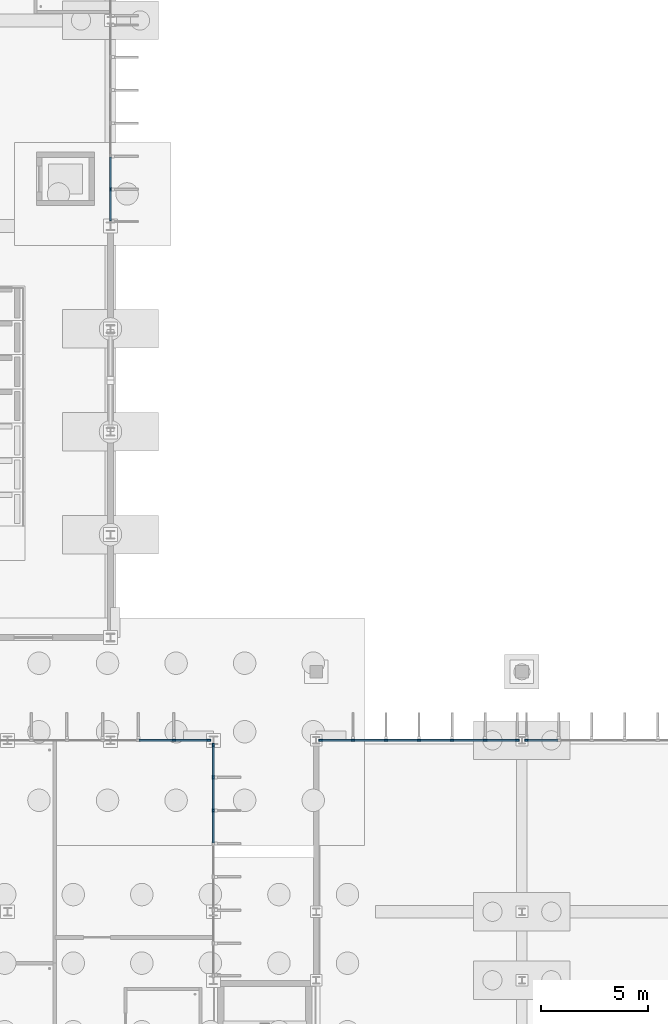
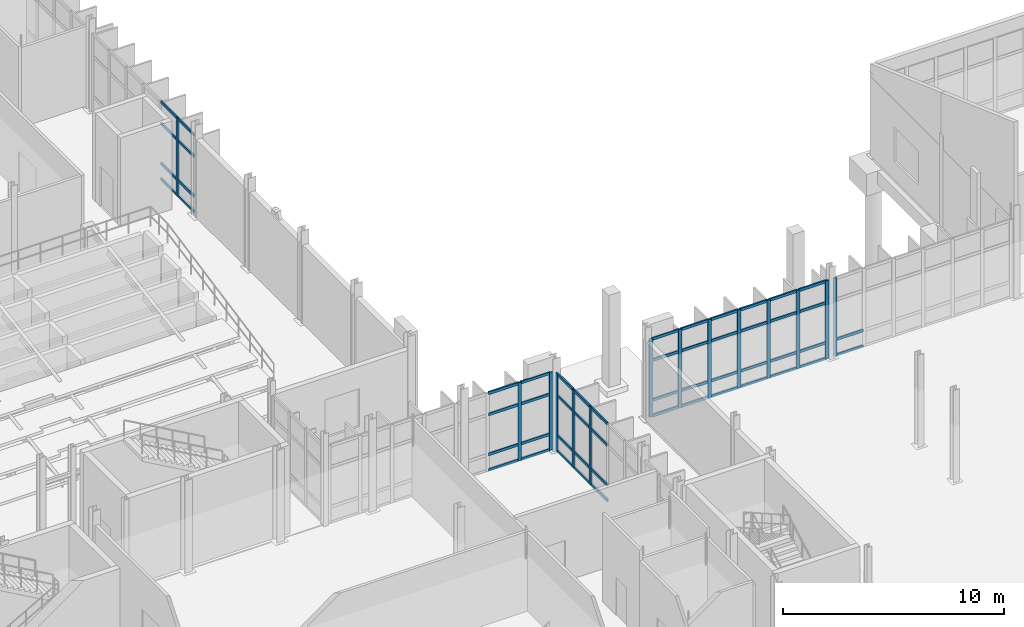
# One storey, part 25 of 111: 68 members, 5 elements without a shape of their own.
"""IFC4 building model written with IfcOpenShell, lengths in metres."""

from ifc_helpers import new_model, si_unit, direction, frame, origin, origin_2d, place, context, subcontext, project, spatial, rectangle, extrude, material, material_profile, profile_set, type_object, element, aggregate, save


model = new_model("IFC4")

# Units and contexts
model_context = context("Model", 3, precision=1e-05, world=origin(), true_north=direction((0.0, 1.0)))
body_context = subcontext(model_context, "Body", "Model", "MODEL_VIEW")
ifc_project = project(units=[si_unit("LENGTHUNIT", "METRE"), si_unit("AREAUNIT", "SQUARE_METRE"), si_unit("VOLUMEUNIT", "CUBIC_METRE"), si_unit("PLANEANGLEUNIT", "RADIAN"), si_unit("MASSUNIT", "GRAM", prefix="KILO")], contexts=[model_context])

# Site, building, storey
site_placement = place(None, origin())
site = spatial("IfcSite", under=ifc_project, at=site_placement, CompositionType="ELEMENT")
building_placement = place(site_placement, origin())
building = spatial("IfcBuilding", under=site, at=building_placement, Name="Dunescarp Central Library", CompositionType="ELEMENT")
storey_placement = place(building_placement, origin())
storey = spatial("IfcBuildingStorey", under=building, at=storey_placement, Name="L00", CompositionType="ELEMENT", Elevation=0.0)

# Curtain wall, members
ifc_material = material(Name="Marine-grade anodised aluminium 6063-T6", Category="aluminium")
curtain_wall_type = type_object("IfcCurtainWallType", Name="ARC-CW-STICK", PredefinedType="NOTDEFINED", material=ifc_material)
curtain_wall_1_placement = place(storey_placement, origin())
curtain_wall_1 = element("IfcCurtainWall", 1, at=curtain_wall_1_placement, inside=storey, type_object=curtain_wall_type, Name="L00 curtain wall CW-V1-002", PredefinedType="NOTDEFINED")
ifc_material_profile_1 = material_profile(ifc_material, rectangle(XDim=0.080078125, YDim=0.179931640625, at=origin_2d()), Name="AL 80x180")
ifc_profile_set_1 = profile_set([ifc_material_profile_1], Name="Marine-grade anodised aluminium 6063-T6")
member_type_1 = type_object("IfcMemberType", Name="ARC-CWM-180", PredefinedType="MULLION", material=ifc_profile_set_1)
member_1_placement = place(storey_placement, frame((31.7607421875, 36.800048828125, 0.0), z_axis=(0.0, 0.0, 1.0), x_axis=(0.0, 1.0, 0.0)))
member_1 = element("IfcMember", 2, at=member_1_placement, type_object=member_type_1, Name="CW-V1-002 mullion 7", PredefinedType="MULLION", context=body_context, shape_type="SweptSolid", body=[
    extrude(rectangle(XDim=0.080078125, YDim=0.179931640625, at=origin_2d()), origin(), (0.0, 0.0, 1.0), 4.304931640625),
])
member_2_placement = place(storey_placement, frame((33.385009765625, 36.800048828125, 0.0), z_axis=(0.0, 0.0, 1.0), x_axis=(0.0, 1.0, 0.0)))
member_2 = element("IfcMember", 3, at=member_2_placement, type_object=member_type_1, Name="CW-V1-002 mullion 8", PredefinedType="MULLION", context=body_context, shape_type="SweptSolid", body=[
    extrude(rectangle(XDim=0.080078125, YDim=0.179931640625, at=origin_2d()), origin(), (0.0, 0.0, 1.0), 4.304931640625),
])

curtain_wall_2_placement = place(storey_placement, origin())
curtain_wall_2 = element("IfcCurtainWall", 4, at=curtain_wall_2_placement, inside=storey, type_object=curtain_wall_type, Name="L00 curtain wall CW-V1-005", PredefinedType="NOTDEFINED")
member_3_placement = place(storey_placement, frame((33.60009765625, 36.5849609375, 0.0), z_axis=(0.0, 0.0, 1.0), x_axis=(1.0, 0.0, 0.0)))
member_3 = element("IfcMember", 5, at=member_3_placement, type_object=member_type_1, Name="CW-V1-005 mullion 1", PredefinedType="MULLION", context=body_context, shape_type="SweptSolid", body=[
    extrude(rectangle(XDim=0.080078125, YDim=0.179931640625, at=origin_2d()), origin(), (0.0, 0.0, 1.0), 4.304931640625),
])
member_4_placement = place(storey_placement, frame((33.60009765625, 35.074951171875, 0.0), z_axis=(0.0, 0.0, 1.0), x_axis=(1.0, 0.0, 0.0)))
member_4 = element("IfcMember", 6, at=member_4_placement, type_object=member_type_1, Name="CW-V1-005 mullion 2", PredefinedType="MULLION", context=body_context, shape_type="SweptSolid", body=[
    extrude(rectangle(XDim=0.080078125, YDim=0.179931640625, at=origin_2d()), origin(), (0.0, 0.0, 1.0), 4.304931640625),
])
member_5_placement = place(storey_placement, frame((33.60009765625, 33.52490234375, 0.0), z_axis=(0.0, 0.0, 1.0), x_axis=(1.0, 0.0, 0.0)))
member_5 = element("IfcMember", 7, at=member_5_placement, type_object=member_type_1, Name="CW-V1-005 mullion 3", PredefinedType="MULLION", context=body_context, shape_type="SweptSolid", body=[
    extrude(rectangle(XDim=0.080078125, YDim=0.179931640625, at=origin_2d()), origin(), (0.0, 0.0, 1.0), 4.304931640625),
])

curtain_wall_3_placement = place(storey_placement, origin())
curtain_wall_3 = element("IfcCurtainWall", 8, at=curtain_wall_3_placement, inside=storey, type_object=curtain_wall_type, Name="L00 curtain wall CW-V2-046", PredefinedType="NOTDEFINED")
member_6_placement = place(storey_placement, frame((38.614990234375, 36.800048828125, 0.0), z_axis=(0.0, 0.0, 1.0), x_axis=(0.0, 1.0, 0.0)))
member_6 = element("IfcMember", 9, at=member_6_placement, type_object=member_type_1, Name="CW-V2-046 mullion 1", PredefinedType="MULLION", context=body_context, shape_type="SweptSolid", body=[
    extrude(rectangle(XDim=0.080078125, YDim=0.179931640625, at=origin_2d()), origin(), (0.0, 0.0, 1.0), 4.31494140625),
])
member_7_placement = place(storey_placement, frame((40.11669921875, 36.800048828125, 0.0), z_axis=(0.0, 0.0, 1.0), x_axis=(0.0, 1.0, 0.0)))
member_7 = element("IfcMember", 10, at=member_7_placement, type_object=member_type_1, Name="CW-V2-046 mullion 2", PredefinedType="MULLION", context=body_context, shape_type="SweptSolid", body=[
    extrude(rectangle(XDim=0.080078125, YDim=0.179931640625, at=origin_2d()), origin(), (0.0, 0.0, 1.0), 4.31494140625),
])
member_8_placement = place(storey_placement, frame((41.658447265625, 36.800048828125, 0.0), z_axis=(0.0, 0.0, 1.0), x_axis=(0.0, 1.0, 0.0)))
member_8 = element("IfcMember", 11, at=member_8_placement, type_object=member_type_1, Name="CW-V2-046 mullion 3", PredefinedType="MULLION", context=body_context, shape_type="SweptSolid", body=[
    extrude(rectangle(XDim=0.080078125, YDim=0.179931640625, at=origin_2d()), origin(), (0.0, 0.0, 1.0), 4.31494140625),
])
member_9_placement = place(storey_placement, frame((43.199951171875, 36.800048828125, 0.0), z_axis=(0.0, 0.0, 1.0), x_axis=(0.0, 1.0, 0.0)))
member_9 = element("IfcMember", 12, at=member_9_placement, type_object=member_type_1, Name="CW-V2-046 mullion 4", PredefinedType="MULLION", context=body_context, shape_type="SweptSolid", body=[
    extrude(rectangle(XDim=0.080078125, YDim=0.179931640625, at=origin_2d()), origin(), (0.0, 0.0, 1.0), 4.31494140625),
])
member_10_placement = place(storey_placement, frame((44.74169921875, 36.800048828125, 0.0), z_axis=(0.0, 0.0, 1.0), x_axis=(0.0, 1.0, 0.0)))
member_10 = element("IfcMember", 13, at=member_10_placement, type_object=member_type_1, Name="CW-V2-046 mullion 5", PredefinedType="MULLION", context=body_context, shape_type="SweptSolid", body=[
    extrude(rectangle(XDim=0.080078125, YDim=0.179931640625, at=origin_2d()), origin(), (0.0, 0.0, 1.0), 4.31494140625),
])
member_11_placement = place(storey_placement, frame((46.283447265625, 36.800048828125, 0.0), z_axis=(0.0, 0.0, 1.0), x_axis=(0.0, 1.0, 0.0)))
member_11 = element("IfcMember", 14, at=member_11_placement, type_object=member_type_1, Name="CW-V2-046 mullion 6", PredefinedType="MULLION", context=body_context, shape_type="SweptSolid", body=[
    extrude(rectangle(XDim=0.080078125, YDim=0.179931640625, at=origin_2d()), origin(), (0.0, 0.0, 1.0), 4.31494140625),
])
member_12_placement = place(storey_placement, frame((47.784912109375, 36.800048828125, 0.0), z_axis=(0.0, 0.0, 1.0), x_axis=(0.0, 1.0, 0.0)))
member_12 = element("IfcMember", 15, at=member_12_placement, type_object=member_type_1, Name="CW-V2-046 mullion 7", PredefinedType="MULLION", context=body_context, shape_type="SweptSolid", body=[
    extrude(rectangle(XDim=0.080078125, YDim=0.179931640625, at=origin_2d()), origin(), (0.0, 0.0, 1.0), 4.31494140625),
])

# Curtain wall, member
curtain_wall_4_placement = place(storey_placement, origin())
curtain_wall_4 = element("IfcCurtainWall", 16, at=curtain_wall_4_placement, inside=storey, type_object=curtain_wall_type, Name="L00 curtain wall CW-V2-047", PredefinedType="NOTDEFINED")
member_13_placement = place(storey_placement, frame((48.215087890625, 36.800048828125, 0.0), z_axis=(0.0, 0.0, 1.0), x_axis=(0.0, 1.0, 0.0)))
member_13 = element("IfcMember", 17, at=member_13_placement, type_object=member_type_1, Name="CW-V2-047 mullion 1", PredefinedType="MULLION", context=body_context, shape_type="SweptSolid", body=[
    extrude(rectangle(XDim=0.080078125, YDim=0.179931640625, at=origin_2d()), origin(), (0.0, 0.0, 1.0), 4.31494140625),
])

curtain_wall_5_placement = place(storey_placement, origin())
curtain_wall_5 = element("IfcCurtainWall", 18, at=curtain_wall_5_placement, inside=storey, type_object=curtain_wall_type, Name="L00 curtain wall CW-V4-113", PredefinedType="NOTDEFINED")
member_14_placement = place(storey_placement, frame((28.800048828125, 62.5166015625, 0.0), z_axis=(0.0, 0.0, 1.0), x_axis=(1.0, 0.0, 0.0)))
member_14 = element("IfcMember", 19, at=member_14_placement, type_object=member_type_1, Name="CW-V4-113 mullion 6", PredefinedType="MULLION", context=body_context, shape_type="SweptSolid", body=[
    extrude(rectangle(XDim=0.080078125, YDim=0.179931640625, at=origin_2d()), origin(), (0.0, 0.0, 1.0), 4.322021484375),
])

# Member
ifc_material_profile_2 = material_profile(ifc_material, rectangle(XDim=0.080078125, YDim=0.14990234375, at=origin_2d()), Name="AL 80x150")
ifc_profile_set_2 = profile_set([ifc_material_profile_2], Name="Marine-grade anodised aluminium 6063-T6")
member_type_2 = type_object("IfcMemberType", Name="ARC-CWT-150", PredefinedType="USERDEFINED", material=ifc_profile_set_2)
member_15_placement = place(storey_placement, frame((30.136474609375, 36.800048828125, 0.0400390625), z_axis=(1.0, 0.0, 0.0), x_axis=(0.0, 1.0, 0.0)))
member_15 = element("IfcMember", 20, at=member_15_placement, type_object=member_type_2, Name="CW-V1-002 transom 6.1", ObjectType="TRANSOM", PredefinedType="USERDEFINED", context=body_context, shape_type="SweptSolid", body=[
    extrude(rectangle(XDim=0.080078125, YDim=0.14990234375, at=origin_2d()), origin(), (0.0, 0.0, 1.0), 1.584228515625),
])

member_16_placement = place(storey_placement, frame((30.136474609375, 36.800048828125, 0.89990234375), z_axis=(1.0, 0.0, 0.0), x_axis=(0.0, 1.0, 0.0)))
member_16 = element("IfcMember", 21, at=member_16_placement, type_object=member_type_2, Name="CW-V1-002 transom 6.2", ObjectType="TRANSOM", PredefinedType="USERDEFINED", context=body_context, shape_type="SweptSolid", body=[
    extrude(rectangle(XDim=0.080078125, YDim=0.14990234375, at=origin_2d()), origin(), (0.0, 0.0, 1.0), 1.584228515625),
])

member_17_placement = place(storey_placement, frame((30.136474609375, 36.800048828125, 3.10009765625), z_axis=(1.0, 0.0, 0.0), x_axis=(0.0, 1.0, 0.0)))
member_17 = element("IfcMember", 22, at=member_17_placement, type_object=member_type_2, Name="CW-V1-002 transom 6.3", ObjectType="TRANSOM", PredefinedType="USERDEFINED", context=body_context, shape_type="SweptSolid", body=[
    extrude(rectangle(XDim=0.080078125, YDim=0.14990234375, at=origin_2d()), origin(), (0.0, 0.0, 1.0), 1.584228515625),
])

member_18_placement = place(storey_placement, frame((30.136474609375, 36.800048828125, 4.264892578125), z_axis=(1.0, 0.0, 0.0), x_axis=(0.0, 1.0, 0.0)))
member_18 = element("IfcMember", 23, at=member_18_placement, type_object=member_type_2, Name="CW-V1-002 transom 6.4", ObjectType="TRANSOM", PredefinedType="USERDEFINED", context=body_context, shape_type="SweptSolid", body=[
    extrude(rectangle(XDim=0.080078125, YDim=0.14990234375, at=origin_2d()), origin(), (0.0, 0.0, 1.0), 1.584228515625),
])

member_19_placement = place(storey_placement, frame((31.80078125, 36.800048828125, 0.0400390625), z_axis=(1.0, 0.0, 0.0), x_axis=(0.0, 1.0, 0.0)))
member_19 = element("IfcMember", 24, at=member_19_placement, type_object=member_type_2, Name="CW-V1-002 transom 7.1", ObjectType="TRANSOM", PredefinedType="USERDEFINED", context=body_context, shape_type="SweptSolid", body=[
    extrude(rectangle(XDim=0.080078125, YDim=0.14990234375, at=origin_2d()), origin(), (0.0, 0.0, 1.0), 1.544189453125),
])

member_20_placement = place(storey_placement, frame((31.80078125, 36.800048828125, 0.89990234375), z_axis=(1.0, 0.0, 0.0), x_axis=(0.0, 1.0, 0.0)))
member_20 = element("IfcMember", 25, at=member_20_placement, type_object=member_type_2, Name="CW-V1-002 transom 7.2", ObjectType="TRANSOM", PredefinedType="USERDEFINED", context=body_context, shape_type="SweptSolid", body=[
    extrude(rectangle(XDim=0.080078125, YDim=0.14990234375, at=origin_2d()), origin(), (0.0, 0.0, 1.0), 1.544189453125),
])

member_21_placement = place(storey_placement, frame((31.80078125, 36.800048828125, 3.10009765625), z_axis=(1.0, 0.0, 0.0), x_axis=(0.0, 1.0, 0.0)))
member_21 = element("IfcMember", 26, at=member_21_placement, type_object=member_type_2, Name="CW-V1-002 transom 7.3", ObjectType="TRANSOM", PredefinedType="USERDEFINED", context=body_context, shape_type="SweptSolid", body=[
    extrude(rectangle(XDim=0.080078125, YDim=0.14990234375, at=origin_2d()), origin(), (0.0, 0.0, 1.0), 1.544189453125),
])

member_22_placement = place(storey_placement, frame((31.80078125, 36.800048828125, 4.264892578125), z_axis=(1.0, 0.0, 0.0), x_axis=(0.0, 1.0, 0.0)))
member_22 = element("IfcMember", 27, at=member_22_placement, type_object=member_type_2, Name="CW-V1-002 transom 7.4", ObjectType="TRANSOM", PredefinedType="USERDEFINED", context=body_context, shape_type="SweptSolid", body=[
    extrude(rectangle(XDim=0.080078125, YDim=0.14990234375, at=origin_2d()), origin(), (0.0, 0.0, 1.0), 1.544189453125),
])

aggregate(curtain_wall_1, [member_1, member_2, member_15, member_16, member_17, member_18, member_19, member_20, member_21, member_22])

member_23_placement = place(storey_placement, frame((33.60009765625, 36.544921875, 0.0400390625), z_axis=(0.0, -1.0, 0.0), x_axis=(1.0, 0.0, 0.0)))
member_23 = element("IfcMember", 28, at=member_23_placement, type_object=member_type_2, Name="CW-V1-005 transom 1.1", ObjectType="TRANSOM", PredefinedType="USERDEFINED", context=body_context, shape_type="SweptSolid", body=[
    extrude(rectangle(XDim=0.080078125, YDim=0.14990234375, at=origin_2d()), origin(), (0.0, 0.0, 1.0), 1.429931640625),
])

member_24_placement = place(storey_placement, frame((33.60009765625, 36.544921875, 0.89990234375), z_axis=(0.0, -1.0, 0.0), x_axis=(1.0, 0.0, 0.0)))
member_24 = element("IfcMember", 29, at=member_24_placement, type_object=member_type_2, Name="CW-V1-005 transom 1.2", ObjectType="TRANSOM", PredefinedType="USERDEFINED", context=body_context, shape_type="SweptSolid", body=[
    extrude(rectangle(XDim=0.080078125, YDim=0.14990234375, at=origin_2d()), origin(), (0.0, 0.0, 1.0), 1.429931640625),
])

member_25_placement = place(storey_placement, frame((33.60009765625, 36.544921875, 3.10009765625), z_axis=(0.0, -1.0, 0.0), x_axis=(1.0, 0.0, 0.0)))
member_25 = element("IfcMember", 30, at=member_25_placement, type_object=member_type_2, Name="CW-V1-005 transom 1.3", ObjectType="TRANSOM", PredefinedType="USERDEFINED", context=body_context, shape_type="SweptSolid", body=[
    extrude(rectangle(XDim=0.080078125, YDim=0.14990234375, at=origin_2d()), origin(), (0.0, 0.0, 1.0), 1.429931640625),
])

member_26_placement = place(storey_placement, frame((33.60009765625, 36.544921875, 4.264892578125), z_axis=(0.0, -1.0, 0.0), x_axis=(1.0, 0.0, 0.0)))
member_26 = element("IfcMember", 31, at=member_26_placement, type_object=member_type_2, Name="CW-V1-005 transom 1.4", ObjectType="TRANSOM", PredefinedType="USERDEFINED", context=body_context, shape_type="SweptSolid", body=[
    extrude(rectangle(XDim=0.080078125, YDim=0.14990234375, at=origin_2d()), origin(), (0.0, 0.0, 1.0), 1.429931640625),
])

member_27_placement = place(storey_placement, frame((33.60009765625, 35.034912109375, 0.0400390625), z_axis=(0.0, -1.0, 0.0), x_axis=(1.0, 0.0, 0.0)))
member_27 = element("IfcMember", 32, at=member_27_placement, type_object=member_type_2, Name="CW-V1-005 transom 2.1", ObjectType="TRANSOM", PredefinedType="USERDEFINED", context=body_context, shape_type="SweptSolid", body=[
    extrude(rectangle(XDim=0.080078125, YDim=0.14990234375, at=origin_2d()), origin(), (0.0, 0.0, 1.0), 1.469970703125),
])

member_28_placement = place(storey_placement, frame((33.60009765625, 35.034912109375, 0.89990234375), z_axis=(0.0, -1.0, 0.0), x_axis=(1.0, 0.0, 0.0)))
member_28 = element("IfcMember", 33, at=member_28_placement, type_object=member_type_2, Name="CW-V1-005 transom 2.2", ObjectType="TRANSOM", PredefinedType="USERDEFINED", context=body_context, shape_type="SweptSolid", body=[
    extrude(rectangle(XDim=0.080078125, YDim=0.14990234375, at=origin_2d()), origin(), (0.0, 0.0, 1.0), 1.469970703125),
])

member_29_placement = place(storey_placement, frame((33.60009765625, 35.034912109375, 3.10009765625), z_axis=(0.0, -1.0, 0.0), x_axis=(1.0, 0.0, 0.0)))
member_29 = element("IfcMember", 34, at=member_29_placement, type_object=member_type_2, Name="CW-V1-005 transom 2.3", ObjectType="TRANSOM", PredefinedType="USERDEFINED", context=body_context, shape_type="SweptSolid", body=[
    extrude(rectangle(XDim=0.080078125, YDim=0.14990234375, at=origin_2d()), origin(), (0.0, 0.0, 1.0), 1.469970703125),
])

member_30_placement = place(storey_placement, frame((33.60009765625, 35.034912109375, 4.264892578125), z_axis=(0.0, -1.0, 0.0), x_axis=(1.0, 0.0, 0.0)))
member_30 = element("IfcMember", 35, at=member_30_placement, type_object=member_type_2, Name="CW-V1-005 transom 2.4", ObjectType="TRANSOM", PredefinedType="USERDEFINED", context=body_context, shape_type="SweptSolid", body=[
    extrude(rectangle(XDim=0.080078125, YDim=0.14990234375, at=origin_2d()), origin(), (0.0, 0.0, 1.0), 1.469970703125),
])

member_31_placement = place(storey_placement, frame((33.60009765625, 33.485107421875, 0.0400390625), z_axis=(0.0, -1.0, 0.0), x_axis=(1.0, 0.0, 0.0)))
member_31 = element("IfcMember", 36, at=member_31_placement, type_object=member_type_2, Name="CW-V1-005 transom 3.1", ObjectType="TRANSOM", PredefinedType="USERDEFINED", context=body_context, shape_type="SweptSolid", body=[
    extrude(rectangle(XDim=0.080078125, YDim=0.14990234375, at=origin_2d()), origin(), (0.0, 0.0, 1.0), 1.47021484375),
])

member_32_placement = place(storey_placement, frame((33.60009765625, 33.485107421875, 0.89990234375), z_axis=(0.0, -1.0, 0.0), x_axis=(1.0, 0.0, 0.0)))
member_32 = element("IfcMember", 37, at=member_32_placement, type_object=member_type_2, Name="CW-V1-005 transom 3.2", ObjectType="TRANSOM", PredefinedType="USERDEFINED", context=body_context, shape_type="SweptSolid", body=[
    extrude(rectangle(XDim=0.080078125, YDim=0.14990234375, at=origin_2d()), origin(), (0.0, 0.0, 1.0), 1.47021484375),
])

member_33_placement = place(storey_placement, frame((33.60009765625, 33.485107421875, 3.10009765625), z_axis=(0.0, -1.0, 0.0), x_axis=(1.0, 0.0, 0.0)))
member_33 = element("IfcMember", 38, at=member_33_placement, type_object=member_type_2, Name="CW-V1-005 transom 3.3", ObjectType="TRANSOM", PredefinedType="USERDEFINED", context=body_context, shape_type="SweptSolid", body=[
    extrude(rectangle(XDim=0.080078125, YDim=0.14990234375, at=origin_2d()), origin(), (0.0, 0.0, 1.0), 1.47021484375),
])

member_34_placement = place(storey_placement, frame((33.60009765625, 33.485107421875, 4.264892578125), z_axis=(0.0, -1.0, 0.0), x_axis=(1.0, 0.0, 0.0)))
member_34 = element("IfcMember", 39, at=member_34_placement, type_object=member_type_2, Name="CW-V1-005 transom 3.4", ObjectType="TRANSOM", PredefinedType="USERDEFINED", context=body_context, shape_type="SweptSolid", body=[
    extrude(rectangle(XDim=0.080078125, YDim=0.14990234375, at=origin_2d()), origin(), (0.0, 0.0, 1.0), 1.47021484375),
])

aggregate(curtain_wall_2, [member_3, member_4, member_5, member_23, member_24, member_25, member_26, member_27, member_28, member_29, member_30, member_31, member_32, member_33, member_34])

member_35_placement = place(storey_placement, frame((38.655029296875, 36.800048828125, 0.0400390625), z_axis=(1.0, 0.0, 0.0), x_axis=(0.0, 1.0, 0.0)))
member_35 = element("IfcMember", 40, at=member_35_placement, type_object=member_type_2, Name="CW-V2-046 transom 1.1", ObjectType="TRANSOM", PredefinedType="USERDEFINED", context=body_context, shape_type="SweptSolid", body=[
    extrude(rectangle(XDim=0.080078125, YDim=0.14990234375, at=origin_2d()), origin(), (0.0, 0.0, 1.0), 1.421630859375),
])

member_36_placement = place(storey_placement, frame((38.655029296875, 36.800048828125, 0.89990234375), z_axis=(1.0, 0.0, 0.0), x_axis=(0.0, 1.0, 0.0)))
member_36 = element("IfcMember", 41, at=member_36_placement, type_object=member_type_2, Name="CW-V2-046 transom 1.2", ObjectType="TRANSOM", PredefinedType="USERDEFINED", context=body_context, shape_type="SweptSolid", body=[
    extrude(rectangle(XDim=0.080078125, YDim=0.14990234375, at=origin_2d()), origin(), (0.0, 0.0, 1.0), 1.421630859375),
])

member_37_placement = place(storey_placement, frame((38.655029296875, 36.800048828125, 3.10009765625), z_axis=(1.0, 0.0, 0.0), x_axis=(0.0, 1.0, 0.0)))
member_37 = element("IfcMember", 42, at=member_37_placement, type_object=member_type_2, Name="CW-V2-046 transom 1.3", ObjectType="TRANSOM", PredefinedType="USERDEFINED", context=body_context, shape_type="SweptSolid", body=[
    extrude(rectangle(XDim=0.080078125, YDim=0.14990234375, at=origin_2d()), origin(), (0.0, 0.0, 1.0), 1.421630859375),
])

member_38_placement = place(storey_placement, frame((38.655029296875, 36.800048828125, 4.27490234375), z_axis=(1.0, 0.0, 0.0), x_axis=(0.0, 1.0, 0.0)))
member_38 = element("IfcMember", 43, at=member_38_placement, type_object=member_type_2, Name="CW-V2-046 transom 1.4", ObjectType="TRANSOM", PredefinedType="USERDEFINED", context=body_context, shape_type="SweptSolid", body=[
    extrude(rectangle(XDim=0.080078125, YDim=0.14990234375, at=origin_2d()), origin(), (0.0, 0.0, 1.0), 1.421630859375),
])

member_39_placement = place(storey_placement, frame((40.15673828125, 36.800048828125, 0.0400390625), z_axis=(1.0, 0.0, 0.0), x_axis=(0.0, 1.0, 0.0)))
member_39 = element("IfcMember", 44, at=member_39_placement, type_object=member_type_2, Name="CW-V2-046 transom 2.1", ObjectType="TRANSOM", PredefinedType="USERDEFINED", context=body_context, shape_type="SweptSolid", body=[
    extrude(rectangle(XDim=0.080078125, YDim=0.14990234375, at=origin_2d()), origin(), (0.0, 0.0, 1.0), 1.461669921875),
])

member_40_placement = place(storey_placement, frame((40.15673828125, 36.800048828125, 0.89990234375), z_axis=(1.0, 0.0, 0.0), x_axis=(0.0, 1.0, 0.0)))
member_40 = element("IfcMember", 45, at=member_40_placement, type_object=member_type_2, Name="CW-V2-046 transom 2.2", ObjectType="TRANSOM", PredefinedType="USERDEFINED", context=body_context, shape_type="SweptSolid", body=[
    extrude(rectangle(XDim=0.080078125, YDim=0.14990234375, at=origin_2d()), origin(), (0.0, 0.0, 1.0), 1.461669921875),
])

member_41_placement = place(storey_placement, frame((40.15673828125, 36.800048828125, 3.10009765625), z_axis=(1.0, 0.0, 0.0), x_axis=(0.0, 1.0, 0.0)))
member_41 = element("IfcMember", 46, at=member_41_placement, type_object=member_type_2, Name="CW-V2-046 transom 2.3", ObjectType="TRANSOM", PredefinedType="USERDEFINED", context=body_context, shape_type="SweptSolid", body=[
    extrude(rectangle(XDim=0.080078125, YDim=0.14990234375, at=origin_2d()), origin(), (0.0, 0.0, 1.0), 1.461669921875),
])

member_42_placement = place(storey_placement, frame((40.15673828125, 36.800048828125, 4.27490234375), z_axis=(1.0, 0.0, 0.0), x_axis=(0.0, 1.0, 0.0)))
member_42 = element("IfcMember", 47, at=member_42_placement, type_object=member_type_2, Name="CW-V2-046 transom 2.4", ObjectType="TRANSOM", PredefinedType="USERDEFINED", context=body_context, shape_type="SweptSolid", body=[
    extrude(rectangle(XDim=0.080078125, YDim=0.14990234375, at=origin_2d()), origin(), (0.0, 0.0, 1.0), 1.461669921875),
])

member_43_placement = place(storey_placement, frame((41.6982421875, 36.800048828125, 0.0400390625), z_axis=(1.0, 0.0, 0.0), x_axis=(0.0, 1.0, 0.0)))
member_43 = element("IfcMember", 48, at=member_43_placement, type_object=member_type_2, Name="CW-V2-046 transom 3.1", ObjectType="TRANSOM", PredefinedType="USERDEFINED", context=body_context, shape_type="SweptSolid", body=[
    extrude(rectangle(XDim=0.080078125, YDim=0.14990234375, at=origin_2d()), origin(), (0.0, 0.0, 1.0), 1.461669921875),
])

member_44_placement = place(storey_placement, frame((41.6982421875, 36.800048828125, 0.89990234375), z_axis=(1.0, 0.0, 0.0), x_axis=(0.0, 1.0, 0.0)))
member_44 = element("IfcMember", 49, at=member_44_placement, type_object=member_type_2, Name="CW-V2-046 transom 3.2", ObjectType="TRANSOM", PredefinedType="USERDEFINED", context=body_context, shape_type="SweptSolid", body=[
    extrude(rectangle(XDim=0.080078125, YDim=0.14990234375, at=origin_2d()), origin(), (0.0, 0.0, 1.0), 1.461669921875),
])

member_45_placement = place(storey_placement, frame((41.6982421875, 36.800048828125, 3.10009765625), z_axis=(1.0, 0.0, 0.0), x_axis=(0.0, 1.0, 0.0)))
member_45 = element("IfcMember", 50, at=member_45_placement, type_object=member_type_2, Name="CW-V2-046 transom 3.3", ObjectType="TRANSOM", PredefinedType="USERDEFINED", context=body_context, shape_type="SweptSolid", body=[
    extrude(rectangle(XDim=0.080078125, YDim=0.14990234375, at=origin_2d()), origin(), (0.0, 0.0, 1.0), 1.461669921875),
])

member_46_placement = place(storey_placement, frame((41.6982421875, 36.800048828125, 4.27490234375), z_axis=(1.0, 0.0, 0.0), x_axis=(0.0, 1.0, 0.0)))
member_46 = element("IfcMember", 51, at=member_46_placement, type_object=member_type_2, Name="CW-V2-046 transom 3.4", ObjectType="TRANSOM", PredefinedType="USERDEFINED", context=body_context, shape_type="SweptSolid", body=[
    extrude(rectangle(XDim=0.080078125, YDim=0.14990234375, at=origin_2d()), origin(), (0.0, 0.0, 1.0), 1.461669921875),
])

member_47_placement = place(storey_placement, frame((43.239990234375, 36.800048828125, 0.0400390625), z_axis=(1.0, 0.0, 0.0), x_axis=(0.0, 1.0, 0.0)))
member_47 = element("IfcMember", 52, at=member_47_placement, type_object=member_type_2, Name="CW-V2-046 transom 4.1", ObjectType="TRANSOM", PredefinedType="USERDEFINED", context=body_context, shape_type="SweptSolid", body=[
    extrude(rectangle(XDim=0.080078125, YDim=0.14990234375, at=origin_2d()), origin(), (0.0, 0.0, 1.0), 1.461669921875),
])

member_48_placement = place(storey_placement, frame((43.239990234375, 36.800048828125, 0.89990234375), z_axis=(1.0, 0.0, 0.0), x_axis=(0.0, 1.0, 0.0)))
member_48 = element("IfcMember", 53, at=member_48_placement, type_object=member_type_2, Name="CW-V2-046 transom 4.2", ObjectType="TRANSOM", PredefinedType="USERDEFINED", context=body_context, shape_type="SweptSolid", body=[
    extrude(rectangle(XDim=0.080078125, YDim=0.14990234375, at=origin_2d()), origin(), (0.0, 0.0, 1.0), 1.461669921875),
])

member_49_placement = place(storey_placement, frame((43.239990234375, 36.800048828125, 3.10009765625), z_axis=(1.0, 0.0, 0.0), x_axis=(0.0, 1.0, 0.0)))
member_49 = element("IfcMember", 54, at=member_49_placement, type_object=member_type_2, Name="CW-V2-046 transom 4.3", ObjectType="TRANSOM", PredefinedType="USERDEFINED", context=body_context, shape_type="SweptSolid", body=[
    extrude(rectangle(XDim=0.080078125, YDim=0.14990234375, at=origin_2d()), origin(), (0.0, 0.0, 1.0), 1.461669921875),
])

member_50_placement = place(storey_placement, frame((43.239990234375, 36.800048828125, 4.27490234375), z_axis=(1.0, 0.0, 0.0), x_axis=(0.0, 1.0, 0.0)))
member_50 = element("IfcMember", 55, at=member_50_placement, type_object=member_type_2, Name="CW-V2-046 transom 4.4", ObjectType="TRANSOM", PredefinedType="USERDEFINED", context=body_context, shape_type="SweptSolid", body=[
    extrude(rectangle(XDim=0.080078125, YDim=0.14990234375, at=origin_2d()), origin(), (0.0, 0.0, 1.0), 1.461669921875),
])

member_51_placement = place(storey_placement, frame((44.78173828125, 36.800048828125, 0.0400390625), z_axis=(1.0, 0.0, 0.0), x_axis=(0.0, 1.0, 0.0)))
member_51 = element("IfcMember", 56, at=member_51_placement, type_object=member_type_2, Name="CW-V2-046 transom 5.1", ObjectType="TRANSOM", PredefinedType="USERDEFINED", context=body_context, shape_type="SweptSolid", body=[
    extrude(rectangle(XDim=0.080078125, YDim=0.14990234375, at=origin_2d()), origin(), (0.0, 0.0, 1.0), 1.461669921875),
])

member_52_placement = place(storey_placement, frame((44.78173828125, 36.800048828125, 0.89990234375), z_axis=(1.0, 0.0, 0.0), x_axis=(0.0, 1.0, 0.0)))
member_52 = element("IfcMember", 57, at=member_52_placement, type_object=member_type_2, Name="CW-V2-046 transom 5.2", ObjectType="TRANSOM", PredefinedType="USERDEFINED", context=body_context, shape_type="SweptSolid", body=[
    extrude(rectangle(XDim=0.080078125, YDim=0.14990234375, at=origin_2d()), origin(), (0.0, 0.0, 1.0), 1.461669921875),
])

member_53_placement = place(storey_placement, frame((44.78173828125, 36.800048828125, 3.10009765625), z_axis=(1.0, 0.0, 0.0), x_axis=(0.0, 1.0, 0.0)))
member_53 = element("IfcMember", 58, at=member_53_placement, type_object=member_type_2, Name="CW-V2-046 transom 5.3", ObjectType="TRANSOM", PredefinedType="USERDEFINED", context=body_context, shape_type="SweptSolid", body=[
    extrude(rectangle(XDim=0.080078125, YDim=0.14990234375, at=origin_2d()), origin(), (0.0, 0.0, 1.0), 1.461669921875),
])

member_54_placement = place(storey_placement, frame((44.78173828125, 36.800048828125, 4.27490234375), z_axis=(1.0, 0.0, 0.0), x_axis=(0.0, 1.0, 0.0)))
member_54 = element("IfcMember", 59, at=member_54_placement, type_object=member_type_2, Name="CW-V2-046 transom 5.4", ObjectType="TRANSOM", PredefinedType="USERDEFINED", context=body_context, shape_type="SweptSolid", body=[
    extrude(rectangle(XDim=0.080078125, YDim=0.14990234375, at=origin_2d()), origin(), (0.0, 0.0, 1.0), 1.461669921875),
])

member_55_placement = place(storey_placement, frame((46.3232421875, 36.800048828125, 0.0400390625), z_axis=(1.0, 0.0, 0.0), x_axis=(0.0, 1.0, 0.0)))
member_55 = element("IfcMember", 60, at=member_55_placement, type_object=member_type_2, Name="CW-V2-046 transom 6.1", ObjectType="TRANSOM", PredefinedType="USERDEFINED", context=body_context, shape_type="SweptSolid", body=[
    extrude(rectangle(XDim=0.080078125, YDim=0.14990234375, at=origin_2d()), origin(), (0.0, 0.0, 1.0), 1.421875),
])

member_56_placement = place(storey_placement, frame((46.3232421875, 36.800048828125, 0.89990234375), z_axis=(1.0, 0.0, 0.0), x_axis=(0.0, 1.0, 0.0)))
member_56 = element("IfcMember", 61, at=member_56_placement, type_object=member_type_2, Name="CW-V2-046 transom 6.2", ObjectType="TRANSOM", PredefinedType="USERDEFINED", context=body_context, shape_type="SweptSolid", body=[
    extrude(rectangle(XDim=0.080078125, YDim=0.14990234375, at=origin_2d()), origin(), (0.0, 0.0, 1.0), 1.421875),
])

member_57_placement = place(storey_placement, frame((46.3232421875, 36.800048828125, 3.10009765625), z_axis=(1.0, 0.0, 0.0), x_axis=(0.0, 1.0, 0.0)))
member_57 = element("IfcMember", 62, at=member_57_placement, type_object=member_type_2, Name="CW-V2-046 transom 6.3", ObjectType="TRANSOM", PredefinedType="USERDEFINED", context=body_context, shape_type="SweptSolid", body=[
    extrude(rectangle(XDim=0.080078125, YDim=0.14990234375, at=origin_2d()), origin(), (0.0, 0.0, 1.0), 1.421875),
])

member_58_placement = place(storey_placement, frame((46.3232421875, 36.800048828125, 4.27490234375), z_axis=(1.0, 0.0, 0.0), x_axis=(0.0, 1.0, 0.0)))
member_58 = element("IfcMember", 63, at=member_58_placement, type_object=member_type_2, Name="CW-V2-046 transom 6.4", ObjectType="TRANSOM", PredefinedType="USERDEFINED", context=body_context, shape_type="SweptSolid", body=[
    extrude(rectangle(XDim=0.080078125, YDim=0.14990234375, at=origin_2d()), origin(), (0.0, 0.0, 1.0), 1.421875),
])

aggregate(curtain_wall_3, [member_6, member_7, member_8, member_9, member_10, member_11, member_12, member_35, member_36, member_37, member_38, member_39, member_40, member_41, member_42, member_43, member_44, member_45, member_46, member_47, member_48, member_49, member_50, member_51, member_52, member_53, member_54, member_55, member_56, member_57, member_58])

member_59_placement = place(storey_placement, frame((48.2548828125, 36.800048828125, 0.0400390625), z_axis=(1.0, 0.0, 0.0), x_axis=(0.0, 1.0, 0.0)))
member_59 = element("IfcMember", 64, at=member_59_placement, type_object=member_type_2, Name="CW-V2-047 transom 1.1", ObjectType="TRANSOM", PredefinedType="USERDEFINED", context=body_context, shape_type="SweptSolid", body=[
    extrude(rectangle(XDim=0.080078125, YDim=0.14990234375, at=origin_2d()), origin(), (0.0, 0.0, 1.0), 1.421875),
])

member_60_placement = place(storey_placement, frame((48.2548828125, 36.800048828125, 0.89990234375), z_axis=(1.0, 0.0, 0.0), x_axis=(0.0, 1.0, 0.0)))
member_60 = element("IfcMember", 65, at=member_60_placement, type_object=member_type_2, Name="CW-V2-047 transom 1.2", ObjectType="TRANSOM", PredefinedType="USERDEFINED", context=body_context, shape_type="SweptSolid", body=[
    extrude(rectangle(XDim=0.080078125, YDim=0.14990234375, at=origin_2d()), origin(), (0.0, 0.0, 1.0), 1.421875),
])

aggregate(curtain_wall_4, [member_13, member_59, member_60])

member_61_placement = place(storey_placement, frame((28.800048828125, 64.018310546875, 0.0400390625), z_axis=(0.0, -1.0, 0.0), x_axis=(1.0, 0.0, 0.0)))
member_61 = element("IfcMember", 66, at=member_61_placement, type_object=member_type_2, Name="CW-V4-113 transom 5.1", ObjectType="TRANSOM", PredefinedType="USERDEFINED", context=body_context, shape_type="SweptSolid", body=[
    extrude(rectangle(XDim=0.080078125, YDim=0.14990234375, at=origin_2d()), origin(), (0.0, 0.0, 1.0), 1.461669921875),
])

member_62_placement = place(storey_placement, frame((28.800048828125, 64.018310546875, 0.89990234375), z_axis=(0.0, -1.0, 0.0), x_axis=(1.0, 0.0, 0.0)))
member_62 = element("IfcMember", 67, at=member_62_placement, type_object=member_type_2, Name="CW-V4-113 transom 5.2", ObjectType="TRANSOM", PredefinedType="USERDEFINED", context=body_context, shape_type="SweptSolid", body=[
    extrude(rectangle(XDim=0.080078125, YDim=0.14990234375, at=origin_2d()), origin(), (0.0, 0.0, 1.0), 1.461669921875),
])

member_63_placement = place(storey_placement, frame((28.800048828125, 64.018310546875, 3.10009765625), z_axis=(0.0, -1.0, 0.0), x_axis=(1.0, 0.0, 0.0)))
member_63 = element("IfcMember", 68, at=member_63_placement, type_object=member_type_2, Name="CW-V4-113 transom 5.3", ObjectType="TRANSOM", PredefinedType="USERDEFINED", context=body_context, shape_type="SweptSolid", body=[
    extrude(rectangle(XDim=0.080078125, YDim=0.14990234375, at=origin_2d()), origin(), (0.0, 0.0, 1.0), 1.461669921875),
])

member_64_placement = place(storey_placement, frame((28.800048828125, 64.018310546875, 4.281982421875), z_axis=(0.0, -1.0, 0.0), x_axis=(1.0, 0.0, 0.0)))
member_64 = element("IfcMember", 69, at=member_64_placement, type_object=member_type_2, Name="CW-V4-113 transom 5.4", ObjectType="TRANSOM", PredefinedType="USERDEFINED", context=body_context, shape_type="SweptSolid", body=[
    extrude(rectangle(XDim=0.080078125, YDim=0.14990234375, at=origin_2d()), origin(), (0.0, 0.0, 1.0), 1.461669921875),
])

member_65_placement = place(storey_placement, frame((28.800048828125, 62.4765625, 0.0400390625), z_axis=(0.0, -1.0, 0.0), x_axis=(1.0, 0.0, 0.0)))
member_65 = element("IfcMember", 70, at=member_65_placement, type_object=member_type_2, Name="CW-V4-113 transom 6.1", ObjectType="TRANSOM", PredefinedType="USERDEFINED", context=body_context, shape_type="SweptSolid", body=[
    extrude(rectangle(XDim=0.080078125, YDim=0.14990234375, at=origin_2d()), origin(), (0.0, 0.0, 1.0), 1.421630859375),
])

member_66_placement = place(storey_placement, frame((28.800048828125, 62.4765625, 0.89990234375), z_axis=(0.0, -1.0, 0.0), x_axis=(1.0, 0.0, 0.0)))
member_66 = element("IfcMember", 71, at=member_66_placement, type_object=member_type_2, Name="CW-V4-113 transom 6.2", ObjectType="TRANSOM", PredefinedType="USERDEFINED", context=body_context, shape_type="SweptSolid", body=[
    extrude(rectangle(XDim=0.080078125, YDim=0.14990234375, at=origin_2d()), origin(), (0.0, 0.0, 1.0), 1.421630859375),
])

member_67_placement = place(storey_placement, frame((28.800048828125, 62.4765625, 3.10009765625), z_axis=(0.0, -1.0, 0.0), x_axis=(1.0, 0.0, 0.0)))
member_67 = element("IfcMember", 72, at=member_67_placement, type_object=member_type_2, Name="CW-V4-113 transom 6.3", ObjectType="TRANSOM", PredefinedType="USERDEFINED", context=body_context, shape_type="SweptSolid", body=[
    extrude(rectangle(XDim=0.080078125, YDim=0.14990234375, at=origin_2d()), origin(), (0.0, 0.0, 1.0), 1.421630859375),
])

member_68_placement = place(storey_placement, frame((28.800048828125, 62.4765625, 4.281982421875), z_axis=(0.0, -1.0, 0.0), x_axis=(1.0, 0.0, 0.0)))
member_68 = element("IfcMember", 73, at=member_68_placement, type_object=member_type_2, Name="CW-V4-113 transom 6.4", ObjectType="TRANSOM", PredefinedType="USERDEFINED", context=body_context, shape_type="SweptSolid", body=[
    extrude(rectangle(XDim=0.080078125, YDim=0.14990234375, at=origin_2d()), origin(), (0.0, 0.0, 1.0), 1.421630859375),
])

aggregate(curtain_wall_5, [member_14, member_61, member_62, member_63, member_64, member_65, member_66, member_67, member_68])

save(model, "model.ifc")
